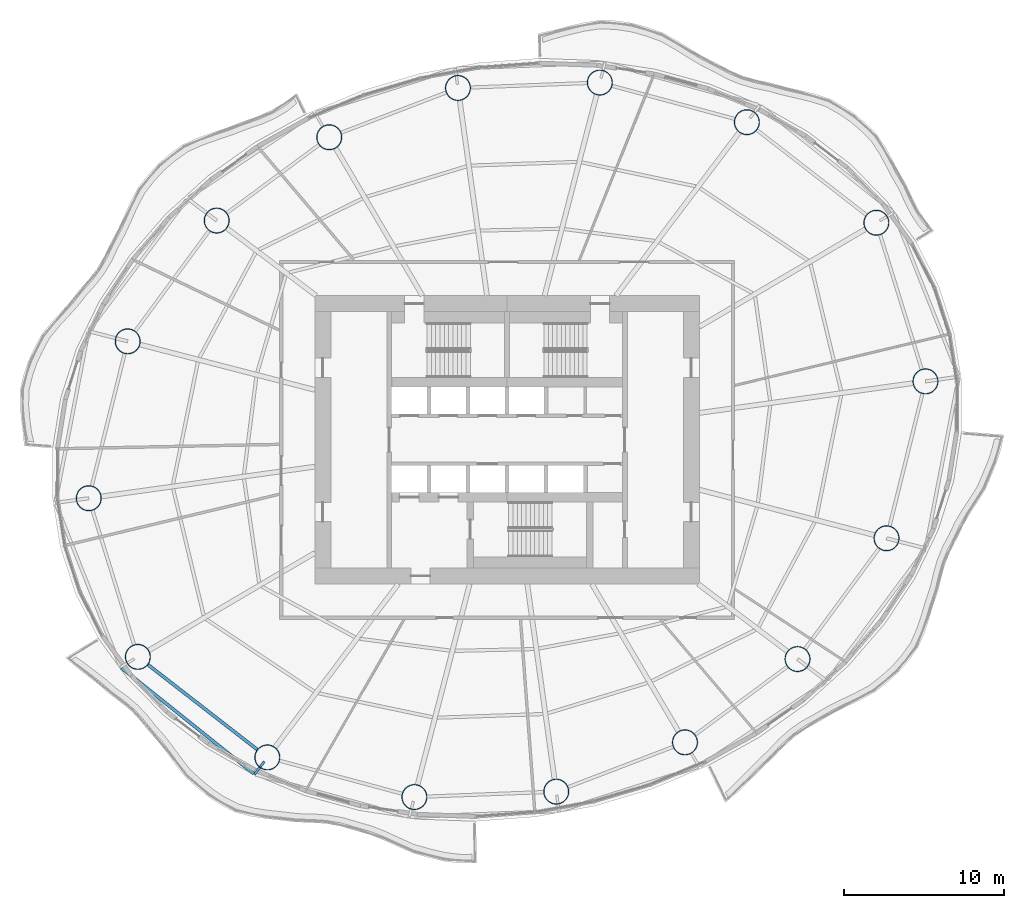
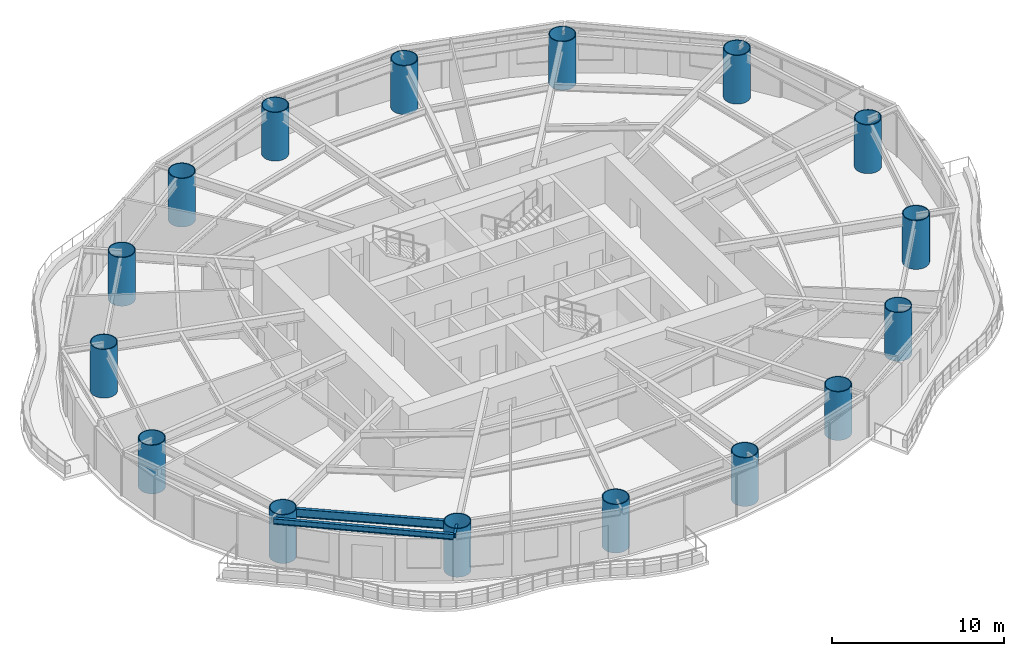
# One storey, part 1 of 16: 16 columns, 3 beams.
"""IFC4 building model written with IfcOpenShell, lengths in metres."""

from ifc_helpers import new_model, si_unit, direction, frame, origin, origin_2d, place, context, subcontext, project, spatial, hollow_circle, i_section, extrude, material, material_profile, profile_set, type_object, element, save


model = new_model("IFC4")

# Units and contexts
model_context = context("Model", 3, precision=1e-05, world=origin(), true_north=direction((0.0, 1.0)))
body_context = subcontext(model_context, "Body", "Model", "MODEL_VIEW")
ifc_project = project(units=[si_unit("LENGTHUNIT", "METRE"), si_unit("AREAUNIT", "SQUARE_METRE"), si_unit("VOLUMEUNIT", "CUBIC_METRE"), si_unit("PLANEANGLEUNIT", "RADIAN"), si_unit("MASSUNIT", "GRAM", prefix="KILO")], contexts=[model_context])

# Site, building, storey
site_placement = place(None, origin())
site = spatial("IfcSite", under=ifc_project, at=site_placement, CompositionType="ELEMENT")
building_placement = place(site_placement, origin())
building = spatial("IfcBuilding", under=site, at=building_placement, Name="Vermilion Reach Broadcast Tower", CompositionType="ELEMENT")
storey_placement = place(building_placement, frame((0.0, 0.0, 88.60009765625)))
storey = spatial("IfcBuildingStorey", under=building, at=storey_placement, Name="L19", CompositionType="ELEMENT", Elevation=88.60009765625)

# Columns
ifc_material_1 = material(Name="Concrete C80 infill in steel S460NL tube", Category="concrete")
ifc_material_profile_1 = material_profile(ifc_material_1, hollow_circle(Radius=0.800048828125, WallThickness=0.054931640625, at=origin_2d()), Name="Concrete C80 infill in steel S460NL tube CFT 1600x55")
ifc_profile_set_1 = profile_set([ifc_material_profile_1], Name="Concrete C80 infill in steel S460NL tube")
column_type = type_object("IfcColumnType", Name="MC2 CFT 1600x55", PredefinedType="COLUMN", material=ifc_profile_set_1)
for number, where, z_axis, x_axis, name in (
    (1, (17.04345703125, 13.546630859375, 0.0), (0.0, 0.0, 1.0), (1.0, 0.0, 0.0), "Mega-column MC2-01"),
    (2, (8.96337890625, 19.821044921875, 0.0), (0.0, 0.0, 1.0), (1.0, 0.0, 0.0), "Mega-column MC2-02"),
    (3, (-0.21337890625, 22.29443359375, 0.0), (0.0, 0.0, 1.0), (1.0, 0.0, 0.0), "Mega-column MC2-03"),
    (4, (-9.066162109375, 21.955810546875, 0.0), (0.0, 0.0, 1.0), (1.0, 0.0, 0.0), "Mega-column MC2-04"),
    (5, (-17.099609375, 18.881103515625, 0.0), (0.0, 0.0, 1.0), (1.0, 0.0, 0.0), "Mega-column MC2-05"),
    (6, (-24.12451171875, 13.6826171875, 0.0), (0.0, 0.0, 1.0), (1.0, 0.0, 0.0), "Mega-column MC2-06"),
    (7, (-29.6787109375, 6.145751953125, 0.0), (0.0, 0.0, 1.0), (1.0, 0.0, 0.0), "Mega-column MC2-07"),
    (8, (-32.10888671875, -3.646240234375, 0.0), (0.0, 0.0, 1.0), (1.0, 0.0, 0.0), "Mega-column MC2-08"),
    (9, (-29.04345703125, -13.546630859375, 0.0), (0.0, 0.0, 1.0), (1.0, 0.0, 0.0), "Mega-column MC2-09"),
    (10, (-20.96337890625, -19.821044921875, 0.0), (0.0, 0.0, 1.0), (1.0, 0.0, 0.0), "Mega-column MC2-10"),
    (11, (-11.78662109375, -22.29443359375, 0.0), (0.0, 0.0, 1.0), (1.0, 0.0, 0.0), "Mega-column MC2-11"),
    (12, (-2.933837890625, -21.955810546875, 0.0), (0.0, 0.0, 1.0), (1.0, 0.0, 0.0), "Mega-column MC2-12"),
    (13, (5.099609375, -18.881103515625, 0.0), (0.0, 0.0, 1.0), (1.0, 0.0, 0.0), "Mega-column MC2-13"),
    (14, (12.12451171875, -13.6826171875, 0.0), (0.0, 0.0, 1.0), (1.0, 0.0, 0.0), "Mega-column MC2-14"),
    (15, (17.6787109375, -6.145751953125, 0.0), (0.0, 0.0, 1.0), (1.0, 0.0, 0.0), "Mega-column MC2-15"),
    (16, (20.10888671875, 3.646240234375, 0.0), (0.0, 0.0, 1.0), (1.0, 0.0, 0.0), "Mega-column MC2-16"),
):
    element("IfcColumn", number, at=place(storey_placement, frame(where, z_axis=z_axis, x_axis=x_axis)), inside=storey, type_object=column_type, Name=name, PredefinedType="COLUMN", context=body_context, shape_type="SweptSolid", body=[
        extrude(hollow_circle(Radius=0.800048828125, WallThickness=0.054931640625, at=origin_2d()), origin(), (0.0, 0.0, 1.0), 3.449951171875),
    ])

# Beams
ifc_material_2 = material(Name="Steel S355J2", Category="steel")
ifc_material_profile_2 = material_profile(ifc_material_2, i_section(OverallWidth=0.199951171875, OverallDepth=0.39990234375, WebThickness=0.008056640625, FlangeThickness=0.012939453125, at=origin_2d()), Name="S355J2 HN 400x200x8x13")
ifc_profile_set_2 = profile_set([ifc_material_profile_2], Name="Steel S355J2")
beam_type_1 = type_object("IfcBeamType", Name="EB2 HN 400x200x8x13", PredefinedType="BEAM", material=ifc_profile_set_2)
beam_1_placement = place(storey_placement, frame((-30.0625, -14.232666015625, 3.25), z_axis=(0.780889112212, -0.624669668248, 0.0), x_axis=(0.624669668248, 0.780889112212, 0.0)))
element("IfcBeam", 17, at=beam_1_placement, inside=storey, type_object=beam_type_1, Name="Edge beam EB2-09", PredefinedType="BEAM", context=body_context, shape_type="SweptSolid", body=[
    extrude(i_section(OverallWidth=0.199951171875, OverallDepth=0.39990234375, WebThickness=0.008056640625, FlangeThickness=0.012939453125, at=origin_2d()), origin(), (0.0, 0.0, 1.0), 10.558349609375),
])
ifc_material_3 = material(Name="Steel S355J2", Category="steel")
ifc_material_profile_3 = material_profile(ifc_material_3, i_section(OverallWidth=0.14990234375, OverallDepth=0.300048828125, WebThickness=0.006591796875, FlangeThickness=0.009033203125, at=origin_2d()), Name="S355J2 HN 300x150x6.5x9")
ifc_profile_set_3 = profile_set([ifc_material_profile_3], Name="Steel S355J2")
beam_type_2 = type_object("IfcBeamType", Name="GS2 HN 300x150x6.5x9", PredefinedType="BEAM", material=ifc_profile_set_3)
beam_2_placement = place(storey_placement, frame((-21.156494140625, -20.076904296875, 3.2998046875), z_axis=(-0.602536027779, -0.798091683473, 0.0), x_axis=(0.798091683473, -0.602536027779, 0.0)))
element("IfcBeam", 18, at=beam_2_placement, inside=storey, type_object=beam_type_2, Name="Cantilever stub GS2-10", PredefinedType="BEAM", context=body_context, shape_type="SweptSolid", body=[
    extrude(i_section(OverallWidth=0.14990234375, OverallDepth=0.300048828125, WebThickness=0.006591796875, FlangeThickness=0.009033203125, at=origin_2d()), origin(), (0.0, 0.0, 1.0), 1.0),
])
ifc_material_4 = material(Name="Steel S355J2", Category="steel")
ifc_material_profile_4 = material_profile(ifc_material_4, i_section(OverallWidth=0.199951171875, OverallDepth=0.60009765625, WebThickness=0.010986328125, FlangeThickness=0.01708984375, at=origin_2d()), Name="S355J2 HN 600x200x11x17")
ifc_profile_set_4 = profile_set([ifc_material_profile_4], Name="Steel S355J2")
beam_type_3 = type_object("IfcBeamType", Name="RB2 HN 600x200x11x17", PredefinedType="BEAM", material=ifc_profile_set_4)
beam_3_placement = place(storey_placement, frame((-28.41162109375, -14.037109375, 3.14990234375), z_axis=(0.789825712432, -0.613331349257, 0.0), x_axis=(0.613331349257, 0.789825712432, 0.0)))
element("IfcBeam", 19, at=beam_3_placement, inside=storey, type_object=beam_type_3, Name="Ring beam RB2-09", PredefinedType="BEAM", context=body_context, shape_type="SweptSolid", body=[
    extrude(i_section(OverallWidth=0.199951171875, OverallDepth=0.60009765625, WebThickness=0.010986328125, FlangeThickness=0.01708984375, at=origin_2d()), origin(), (0.0, 0.0, 1.0), 8.63037109375),
])

save(model, "model.ifc")
